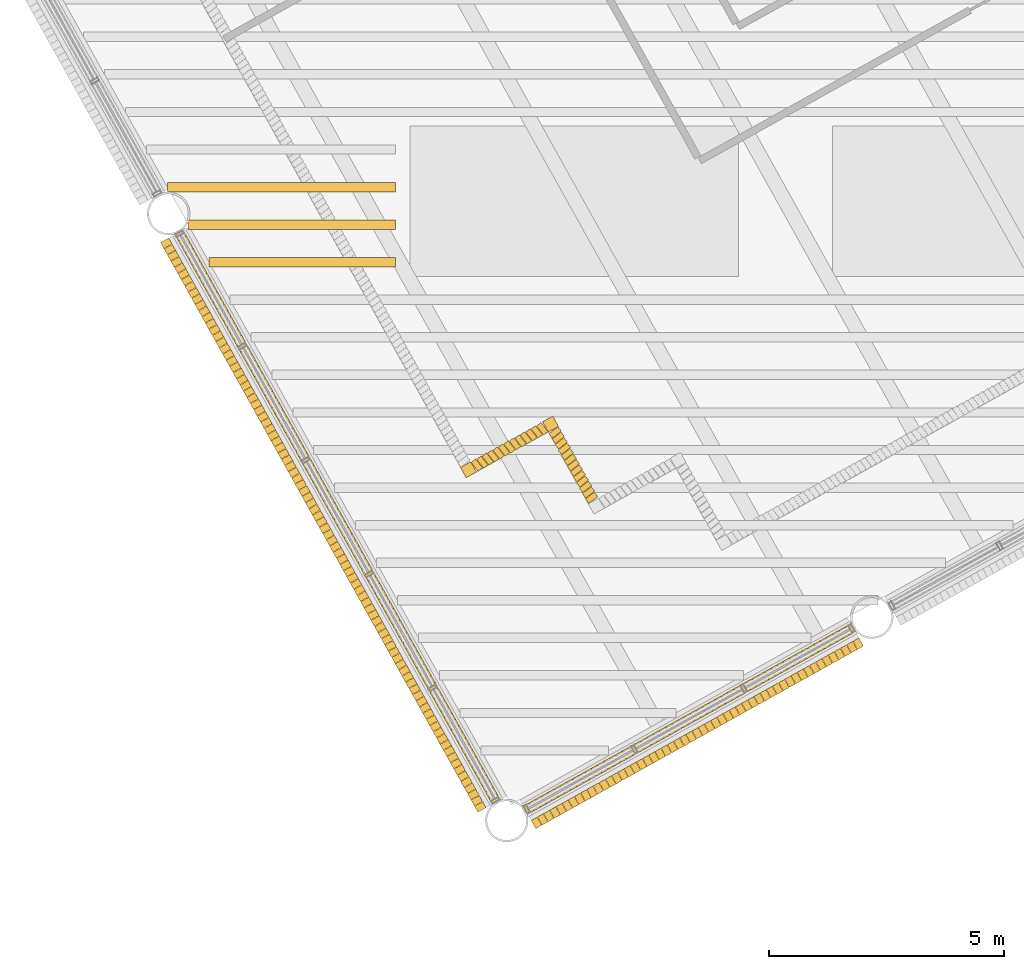
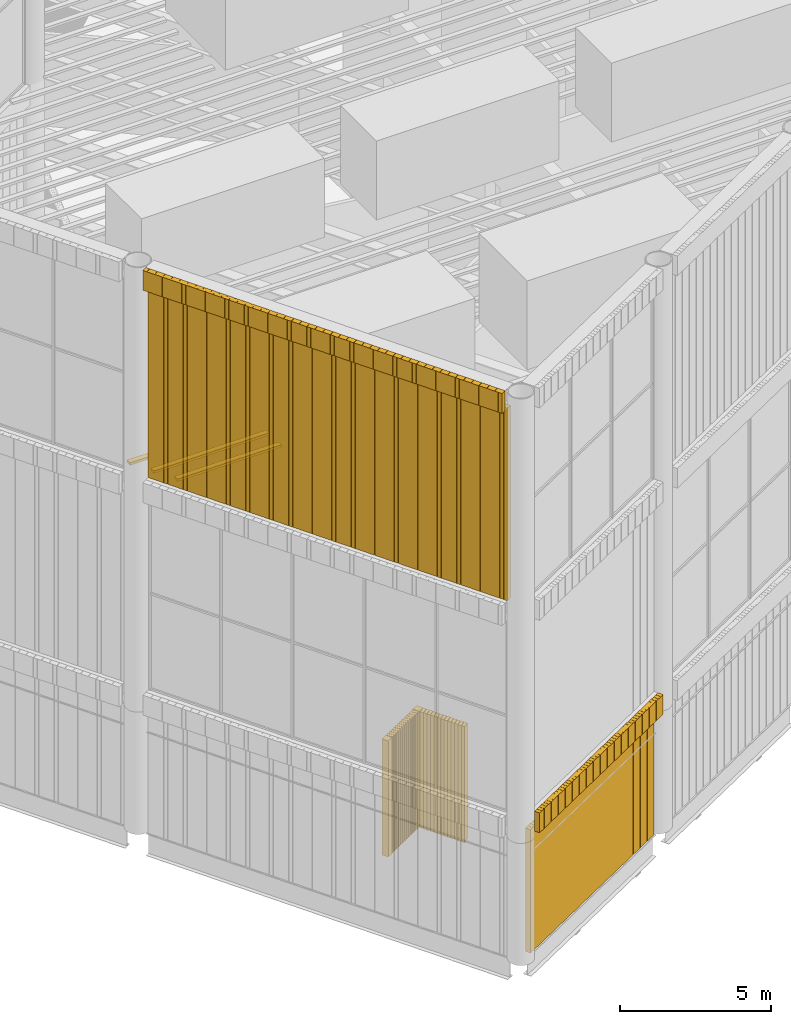
# One storey, part 86 of 117: 7 shading devices, 4 coverings.
"""IFC4 building model written with IfcOpenShell, lengths in metres."""

from ifc_helpers import new_model, si_unit, direction, frame, frame_2d, origin, origin_2d, place, context, subcontext, project, spatial, rectangle, composite_profile, extrude, material, type_object, element, save


model = new_model("IFC4")

# Units and contexts
model_context = context("Model", 3, precision=1e-05, world=origin(), true_north=direction((0.0, 1.0)))
body_context = subcontext(model_context, "Body", "Model", "MODEL_VIEW")
ifc_project = project(units=[si_unit("LENGTHUNIT", "METRE"), si_unit("AREAUNIT", "SQUARE_METRE"), si_unit("VOLUMEUNIT", "CUBIC_METRE"), si_unit("PLANEANGLEUNIT", "RADIAN"), si_unit("MASSUNIT", "GRAM", prefix="KILO")], contexts=[model_context])

# Site, building, storey
site_placement = place(None, origin())
site = spatial("IfcSite", under=ifc_project, at=site_placement, CompositionType="ELEMENT")
building_placement = place(site_placement, origin())
building = spatial("IfcBuilding", under=site, at=building_placement, Name="Tarsis Ring Headquarters", CompositionType="ELEMENT")
storey_placement = place(building_placement, frame((0.0, 0.0, 403.60009765625)))
storey = spatial("IfcBuildingStorey", under=building, at=storey_placement, Name="L95", CompositionType="ELEMENT", Elevation=403.60009765625)

# Coverings
ifc_material_1 = material(Name="Terracotta louvre", Category="masonry")
covering_type = type_object("IfcCoveringType", Name="Crown louvre fin", PredefinedType="CLADDING", material=ifc_material_1)
covering_1_placement = place(storey_placement, frame((-29.78857421875, -33.53515625, 0.0), z_axis=(0.0, 0.0, 1.0), x_axis=(0.873594132029, 0.486644254279, 0.0)))
element("IfcCovering", 1, at=covering_1_placement, inside=storey, type_object=covering_type, Name="Crown louvre base 18", PredefinedType="CLADDING", context=body_context, shape_type="SweptSolid", body=[
    extrude(composite_profile([rectangle(XDim=0.14501953125, YDim=0.199951171875, at=frame_2d((0.072509765625, 0.0))), rectangle(XDim=0.14501953125, YDim=0.199951171875, at=frame_2d((0.223388671875, 0.0))), rectangle(XDim=0.14501953125, YDim=0.199951171875, at=frame_2d((0.374267578125, 0.0))), rectangle(XDim=0.14501953125, YDim=0.199951171875, at=frame_2d((0.52490234375, 0.0))), rectangle(XDim=0.14501953125, YDim=0.199951171875, at=frame_2d((0.67578125, 0.0))), rectangle(XDim=0.14501953125, YDim=0.199951171875, at=frame_2d((0.82666015625, 0.0))), rectangle(XDim=0.14501953125, YDim=0.199951171875, at=frame_2d((0.9775390625, 0.0))), rectangle(XDim=0.14501953125, YDim=0.199951171875, at=frame_2d((1.12841796875, 0.0))), rectangle(XDim=0.14501953125, YDim=0.199951171875, at=frame_2d((1.279052734375, 0.0))), rectangle(XDim=0.14501953125, YDim=0.199951171875, at=frame_2d((1.429931640625, 0.0))), rectangle(XDim=0.14501953125, YDim=0.199951171875, at=frame_2d((1.580810546875, 0.0))), rectangle(XDim=0.14501953125, YDim=0.199951171875, at=frame_2d((1.731689453125, 0.0))), rectangle(XDim=0.14501953125, YDim=0.199951171875, at=frame_2d((1.882568359375, 0.0))), rectangle(XDim=0.14501953125, YDim=0.199951171875, at=frame_2d((2.033203125, 0.0))), rectangle(XDim=0.14501953125, YDim=0.199951171875, at=frame_2d((2.18408203125, 0.0))), rectangle(XDim=0.14501953125, YDim=0.199951171875, at=frame_2d((2.3349609375, 0.0))), rectangle(XDim=0.14501953125, YDim=0.199951171875, at=frame_2d((2.48583984375, 0.0))), rectangle(XDim=0.14501953125, YDim=0.199951171875, at=frame_2d((2.63671875, 0.0))), rectangle(XDim=0.14501953125, YDim=0.199951171875, at=frame_2d((2.78759765625, 0.0))), rectangle(XDim=0.14501953125, YDim=0.199951171875, at=frame_2d((2.938232421875, 0.0))), rectangle(XDim=0.14501953125, YDim=0.199951171875, at=frame_2d((3.089111328125, 0.0))), rectangle(XDim=0.14501953125, YDim=0.199951171875, at=frame_2d((3.239990234375, 0.0))), rectangle(XDim=0.14501953125, YDim=0.199951171875, at=frame_2d((3.390869140625, 0.0))), rectangle(XDim=0.14501953125, YDim=0.199951171875, at=frame_2d((3.541748046875, 0.0))), rectangle(XDim=0.14501953125, YDim=0.199951171875, at=frame_2d((3.6923828125, 0.0))), rectangle(XDim=0.14501953125, YDim=0.199951171875, at=frame_2d((3.84326171875, 0.0))), rectangle(XDim=0.14501953125, YDim=0.199951171875, at=frame_2d((3.994140625, 0.0))), rectangle(XDim=0.14501953125, YDim=0.199951171875, at=frame_2d((4.14501953125, 0.0))), rectangle(XDim=0.14501953125, YDim=0.199951171875, at=frame_2d((4.2958984375, 0.0))), rectangle(XDim=0.14501953125, YDim=0.199951171875, at=frame_2d((4.446533203125, 0.0))), rectangle(XDim=0.14501953125, YDim=0.199951171875, at=frame_2d((4.597412109375, 0.0))), rectangle(XDim=0.14501953125, YDim=0.199951171875, at=frame_2d((4.748291015625, 0.0))), rectangle(XDim=0.14501953125, YDim=0.199951171875, at=frame_2d((4.899169921875, 0.0))), rectangle(XDim=0.14501953125, YDim=0.199951171875, at=frame_2d((5.050048828125, 0.0))), rectangle(XDim=0.14501953125, YDim=0.199951171875, at=frame_2d((5.20068359375, 0.0))), rectangle(XDim=0.14501953125, YDim=0.199951171875, at=frame_2d((5.3515625, 0.0))), rectangle(XDim=0.14501953125, YDim=0.199951171875, at=frame_2d((5.50244140625, 0.0))), rectangle(XDim=0.14501953125, YDim=0.199951171875, at=frame_2d((5.6533203125, 0.0))), rectangle(XDim=0.14501953125, YDim=0.199951171875, at=frame_2d((5.80419921875, 0.0))), rectangle(XDim=0.14501953125, YDim=0.199951171875, at=frame_2d((5.955078125, 0.0))), rectangle(XDim=0.14501953125, YDim=0.199951171875, at=frame_2d((6.105712890625, 0.0))), rectangle(XDim=0.14501953125, YDim=0.199951171875, at=frame_2d((6.256591796875, 0.0))), rectangle(XDim=0.14501953125, YDim=0.199951171875, at=frame_2d((6.407470703125, 0.0))), rectangle(XDim=0.14501953125, YDim=0.199951171875, at=frame_2d((6.558349609375, 0.0))), rectangle(XDim=0.14501953125, YDim=0.199951171875, at=frame_2d((6.709228515625, 0.0))), rectangle(XDim=0.14501953125, YDim=0.199951171875, at=frame_2d((6.85986328125, 0.0))), rectangle(XDim=0.14501953125, YDim=0.199951171875, at=frame_2d((7.0107421875, 0.0))), rectangle(XDim=0.14501953125, YDim=0.199951171875, at=frame_2d((7.16162109375, 0.0))), rectangle(XDim=0.14501953125, YDim=0.199951171875, at=frame_2d((7.3125, 0.0))), rectangle(XDim=0.14501953125, YDim=0.199951171875, at=frame_2d((7.46337890625, 0.0))), rectangle(XDim=0.14501953125, YDim=0.199951171875, at=frame_2d((7.614013671875, 0.0))), rectangle(XDim=0.14501953125, YDim=0.199951171875, at=frame_2d((7.764892578125, 0.0))), rectangle(XDim=0.14501953125, YDim=0.199951171875, at=frame_2d((7.915771484375, 0.0)))]), origin(), (0.0, 0.0, 1.0), 5.0),
])
covering_2_placement = place(storey_placement, frame((-29.618408203125, -33.8408203125, 5.0), z_axis=(0.0, 0.0, 1.0), x_axis=(0.873594132029, 0.486644254279, 0.0)))
element("IfcCovering", 2, at=covering_2_placement, inside=storey, type_object=covering_type, Name="Crown louvre fascia R18", PredefinedType="CLADDING", context=body_context, shape_type="SweptSolid", body=[
    extrude(composite_profile([rectangle(XDim=0.14501953125, YDim=0.199951171875, at=frame_2d((0.072509765625, 0.0))), rectangle(XDim=0.14501953125, YDim=0.199951171875, at=frame_2d((0.223388671875, 0.0))), rectangle(XDim=0.14501953125, YDim=0.199951171875, at=frame_2d((0.374267578125, 0.0))), rectangle(XDim=0.14501953125, YDim=0.199951171875, at=frame_2d((0.52490234375, 0.0))), rectangle(XDim=0.14501953125, YDim=0.199951171875, at=frame_2d((0.67578125, 0.0))), rectangle(XDim=0.14501953125, YDim=0.199951171875, at=frame_2d((0.82666015625, 0.0))), rectangle(XDim=0.14501953125, YDim=0.199951171875, at=frame_2d((0.9775390625, 0.0))), rectangle(XDim=0.14501953125, YDim=0.199951171875, at=frame_2d((1.12841796875, 0.0))), rectangle(XDim=0.14501953125, YDim=0.199951171875, at=frame_2d((1.279052734375, 0.0))), rectangle(XDim=0.14501953125, YDim=0.199951171875, at=frame_2d((1.429931640625, 0.0))), rectangle(XDim=0.14501953125, YDim=0.199951171875, at=frame_2d((1.580810546875, 0.0))), rectangle(XDim=0.14501953125, YDim=0.199951171875, at=frame_2d((1.731689453125, 0.0))), rectangle(XDim=0.14501953125, YDim=0.199951171875, at=frame_2d((1.882568359375, 0.0))), rectangle(XDim=0.14501953125, YDim=0.199951171875, at=frame_2d((2.033203125, 0.0))), rectangle(XDim=0.14501953125, YDim=0.199951171875, at=frame_2d((2.18408203125, 0.0))), rectangle(XDim=0.14501953125, YDim=0.199951171875, at=frame_2d((2.3349609375, 0.0))), rectangle(XDim=0.14501953125, YDim=0.199951171875, at=frame_2d((2.48583984375, 0.0))), rectangle(XDim=0.14501953125, YDim=0.199951171875, at=frame_2d((2.63671875, 0.0))), rectangle(XDim=0.14501953125, YDim=0.199951171875, at=frame_2d((2.78759765625, 0.0))), rectangle(XDim=0.14501953125, YDim=0.199951171875, at=frame_2d((2.938232421875, 0.0))), rectangle(XDim=0.14501953125, YDim=0.199951171875, at=frame_2d((3.089111328125, 0.0))), rectangle(XDim=0.14501953125, YDim=0.199951171875, at=frame_2d((3.239990234375, 0.0))), rectangle(XDim=0.14501953125, YDim=0.199951171875, at=frame_2d((3.390869140625, 0.0))), rectangle(XDim=0.14501953125, YDim=0.199951171875, at=frame_2d((3.541748046875, 0.0))), rectangle(XDim=0.14501953125, YDim=0.199951171875, at=frame_2d((3.6923828125, 0.0))), rectangle(XDim=0.14501953125, YDim=0.199951171875, at=frame_2d((3.84326171875, 0.0))), rectangle(XDim=0.14501953125, YDim=0.199951171875, at=frame_2d((3.994140625, 0.0))), rectangle(XDim=0.14501953125, YDim=0.199951171875, at=frame_2d((4.14501953125, 0.0))), rectangle(XDim=0.14501953125, YDim=0.199951171875, at=frame_2d((4.2958984375, 0.0))), rectangle(XDim=0.14501953125, YDim=0.199951171875, at=frame_2d((4.446533203125, 0.0))), rectangle(XDim=0.14501953125, YDim=0.199951171875, at=frame_2d((4.597412109375, 0.0))), rectangle(XDim=0.14501953125, YDim=0.199951171875, at=frame_2d((4.748291015625, 0.0))), rectangle(XDim=0.14501953125, YDim=0.199951171875, at=frame_2d((4.899169921875, 0.0))), rectangle(XDim=0.14501953125, YDim=0.199951171875, at=frame_2d((5.050048828125, 0.0))), rectangle(XDim=0.14501953125, YDim=0.199951171875, at=frame_2d((5.20068359375, 0.0))), rectangle(XDim=0.14501953125, YDim=0.199951171875, at=frame_2d((5.3515625, 0.0))), rectangle(XDim=0.14501953125, YDim=0.199951171875, at=frame_2d((5.50244140625, 0.0))), rectangle(XDim=0.14501953125, YDim=0.199951171875, at=frame_2d((5.6533203125, 0.0))), rectangle(XDim=0.14501953125, YDim=0.199951171875, at=frame_2d((5.80419921875, 0.0))), rectangle(XDim=0.14501953125, YDim=0.199951171875, at=frame_2d((5.955078125, 0.0))), rectangle(XDim=0.14501953125, YDim=0.199951171875, at=frame_2d((6.105712890625, 0.0))), rectangle(XDim=0.14501953125, YDim=0.199951171875, at=frame_2d((6.256591796875, 0.0))), rectangle(XDim=0.14501953125, YDim=0.199951171875, at=frame_2d((6.407470703125, 0.0))), rectangle(XDim=0.14501953125, YDim=0.199951171875, at=frame_2d((6.558349609375, 0.0))), rectangle(XDim=0.14501953125, YDim=0.199951171875, at=frame_2d((6.709228515625, 0.0))), rectangle(XDim=0.14501953125, YDim=0.199951171875, at=frame_2d((6.85986328125, 0.0))), rectangle(XDim=0.14501953125, YDim=0.199951171875, at=frame_2d((7.0107421875, 0.0))), rectangle(XDim=0.14501953125, YDim=0.199951171875, at=frame_2d((7.16162109375, 0.0))), rectangle(XDim=0.14501953125, YDim=0.199951171875, at=frame_2d((7.3125, 0.0))), rectangle(XDim=0.14501953125, YDim=0.199951171875, at=frame_2d((7.46337890625, 0.0))), rectangle(XDim=0.14501953125, YDim=0.199951171875, at=frame_2d((7.614013671875, 0.0))), rectangle(XDim=0.14501953125, YDim=0.199951171875, at=frame_2d((7.764892578125, 0.0))), rectangle(XDim=0.14501953125, YDim=0.199951171875, at=frame_2d((7.915771484375, 0.0)))]), origin(), (0.0, 0.0, 1.0), 0.7998046875),
])
covering_3_placement = place(storey_placement, frame((-37.4736328125, -21.397705078125, 22.199951171875), z_axis=(0.0, 0.0, 1.0), x_axis=(0.486646623415, -0.873604444679, 0.0)))
element("IfcCovering", 3, at=covering_3_placement, inside=storey, type_object=covering_type, Name="Crown louvre fascia T17", PredefinedType="CLADDING", context=body_context, shape_type="SweptSolid", body=[
    extrude(composite_profile([rectangle(XDim=0.14501953125, YDim=0.199951171875, at=frame_2d((0.072509765625, 0.0))), rectangle(XDim=0.14501953125, YDim=0.199951171875, at=frame_2d((0.223388671875, 0.0))), rectangle(XDim=0.14501953125, YDim=0.199951171875, at=frame_2d((0.37451171875, 0.0))), rectangle(XDim=0.14501953125, YDim=0.199951171875, at=frame_2d((0.525390625, 0.0))), rectangle(XDim=0.14501953125, YDim=0.199951171875, at=frame_2d((0.676513671875, 0.0))), rectangle(XDim=0.14501953125, YDim=0.199951171875, at=frame_2d((0.827392578125, 0.0))), rectangle(XDim=0.14501953125, YDim=0.199951171875, at=frame_2d((0.978515625, 0.0))), rectangle(XDim=0.14501953125, YDim=0.199951171875, at=frame_2d((1.12939453125, 0.0))), rectangle(XDim=0.14501953125, YDim=0.199951171875, at=frame_2d((1.280517578125, 0.0))), rectangle(XDim=0.14501953125, YDim=0.199951171875, at=frame_2d((1.431396484375, 0.0))), rectangle(XDim=0.14501953125, YDim=0.199951171875, at=frame_2d((1.58251953125, 0.0))), rectangle(XDim=0.14501953125, YDim=0.199951171875, at=frame_2d((1.7333984375, 0.0))), rectangle(XDim=0.14501953125, YDim=0.199951171875, at=frame_2d((1.884521484375, 0.0))), rectangle(XDim=0.14501953125, YDim=0.199951171875, at=frame_2d((2.035400390625, 0.0))), rectangle(XDim=0.14501953125, YDim=0.199951171875, at=frame_2d((2.1865234375, 0.0))), rectangle(XDim=0.14501953125, YDim=0.199951171875, at=frame_2d((2.33740234375, 0.0))), rectangle(XDim=0.14501953125, YDim=0.199951171875, at=frame_2d((2.488525390625, 0.0))), rectangle(XDim=0.14501953125, YDim=0.199951171875, at=frame_2d((2.639404296875, 0.0))), rectangle(XDim=0.14501953125, YDim=0.199951171875, at=frame_2d((2.79052734375, 0.0))), rectangle(XDim=0.14501953125, YDim=0.199951171875, at=frame_2d((2.94140625, 0.0))), rectangle(XDim=0.14501953125, YDim=0.199951171875, at=frame_2d((3.092529296875, 0.0))), rectangle(XDim=0.14501953125, YDim=0.199951171875, at=frame_2d((3.243408203125, 0.0))), rectangle(XDim=0.14501953125, YDim=0.199951171875, at=frame_2d((3.39453125, 0.0))), rectangle(XDim=0.14501953125, YDim=0.199951171875, at=frame_2d((3.54541015625, 0.0))), rectangle(XDim=0.14501953125, YDim=0.199951171875, at=frame_2d((3.696533203125, 0.0))), rectangle(XDim=0.14501953125, YDim=0.199951171875, at=frame_2d((3.847412109375, 0.0))), rectangle(XDim=0.14501953125, YDim=0.199951171875, at=frame_2d((3.99853515625, 0.0))), rectangle(XDim=0.14501953125, YDim=0.199951171875, at=frame_2d((4.1494140625, 0.0))), rectangle(XDim=0.14501953125, YDim=0.199951171875, at=frame_2d((4.300537109375, 0.0))), rectangle(XDim=0.14501953125, YDim=0.199951171875, at=frame_2d((4.451416015625, 0.0))), rectangle(XDim=0.14501953125, YDim=0.199951171875, at=frame_2d((4.6025390625, 0.0))), rectangle(XDim=0.14501953125, YDim=0.199951171875, at=frame_2d((4.75341796875, 0.0))), rectangle(XDim=0.14501953125, YDim=0.199951171875, at=frame_2d((4.904541015625, 0.0))), rectangle(XDim=0.14501953125, YDim=0.199951171875, at=frame_2d((5.055419921875, 0.0))), rectangle(XDim=0.14501953125, YDim=0.199951171875, at=frame_2d((5.20654296875, 0.0))), rectangle(XDim=0.14501953125, YDim=0.199951171875, at=frame_2d((5.357421875, 0.0))), rectangle(XDim=0.14501953125, YDim=0.199951171875, at=frame_2d((5.508544921875, 0.0))), rectangle(XDim=0.14501953125, YDim=0.199951171875, at=frame_2d((5.659423828125, 0.0))), rectangle(XDim=0.14501953125, YDim=0.199951171875, at=frame_2d((5.810546875, 0.0))), rectangle(XDim=0.14501953125, YDim=0.199951171875, at=frame_2d((5.96142578125, 0.0))), rectangle(XDim=0.14501953125, YDim=0.199951171875, at=frame_2d((6.112548828125, 0.0))), rectangle(XDim=0.14501953125, YDim=0.199951171875, at=frame_2d((6.263427734375, 0.0))), rectangle(XDim=0.14501953125, YDim=0.199951171875, at=frame_2d((6.41455078125, 0.0))), rectangle(XDim=0.14501953125, YDim=0.199951171875, at=frame_2d((6.5654296875, 0.0))), rectangle(XDim=0.14501953125, YDim=0.199951171875, at=frame_2d((6.716552734375, 0.0))), rectangle(XDim=0.14501953125, YDim=0.199951171875, at=frame_2d((6.867431640625, 0.0))), rectangle(XDim=0.14501953125, YDim=0.199951171875, at=frame_2d((7.0185546875, 0.0))), rectangle(XDim=0.14501953125, YDim=0.199951171875, at=frame_2d((7.16943359375, 0.0))), rectangle(XDim=0.14501953125, YDim=0.199951171875, at=frame_2d((7.320556640625, 0.0))), rectangle(XDim=0.14501953125, YDim=0.199951171875, at=frame_2d((7.471435546875, 0.0))), rectangle(XDim=0.14501953125, YDim=0.199951171875, at=frame_2d((7.62255859375, 0.0))), rectangle(XDim=0.14501953125, YDim=0.199951171875, at=frame_2d((7.7734375, 0.0))), rectangle(XDim=0.14501953125, YDim=0.199951171875, at=frame_2d((7.924560546875, 0.0))), rectangle(XDim=0.14501953125, YDim=0.199951171875, at=frame_2d((8.075439453125, 0.0))), rectangle(XDim=0.14501953125, YDim=0.199951171875, at=frame_2d((8.2265625, 0.0))), rectangle(XDim=0.14501953125, YDim=0.199951171875, at=frame_2d((8.37744140625, 0.0))), rectangle(XDim=0.14501953125, YDim=0.199951171875, at=frame_2d((8.528564453125, 0.0))), rectangle(XDim=0.14501953125, YDim=0.199951171875, at=frame_2d((8.679443359375, 0.0))), rectangle(XDim=0.14501953125, YDim=0.199951171875, at=frame_2d((8.83056640625, 0.0))), rectangle(XDim=0.14501953125, YDim=0.199951171875, at=frame_2d((8.9814453125, 0.0))), rectangle(XDim=0.14501953125, YDim=0.199951171875, at=frame_2d((9.132568359375, 0.0))), rectangle(XDim=0.14501953125, YDim=0.199951171875, at=frame_2d((9.283447265625, 0.0))), rectangle(XDim=0.14501953125, YDim=0.199951171875, at=frame_2d((9.4345703125, 0.0))), rectangle(XDim=0.14501953125, YDim=0.199951171875, at=frame_2d((9.58544921875, 0.0))), rectangle(XDim=0.14501953125, YDim=0.199951171875, at=frame_2d((9.736572265625, 0.0))), rectangle(XDim=0.14501953125, YDim=0.199951171875, at=frame_2d((9.887451171875, 0.0))), rectangle(XDim=0.14501953125, YDim=0.199951171875, at=frame_2d((10.03857421875, 0.0))), rectangle(XDim=0.14501953125, YDim=0.199951171875, at=frame_2d((10.189453125, 0.0))), rectangle(XDim=0.14501953125, YDim=0.199951171875, at=frame_2d((10.340576171875, 0.0))), rectangle(XDim=0.14501953125, YDim=0.199951171875, at=frame_2d((10.491455078125, 0.0))), rectangle(XDim=0.14501953125, YDim=0.199951171875, at=frame_2d((10.642578125, 0.0))), rectangle(XDim=0.14501953125, YDim=0.199951171875, at=frame_2d((10.79345703125, 0.0))), rectangle(XDim=0.14501953125, YDim=0.199951171875, at=frame_2d((10.944580078125, 0.0))), rectangle(XDim=0.14501953125, YDim=0.199951171875, at=frame_2d((11.095458984375, 0.0))), rectangle(XDim=0.14501953125, YDim=0.199951171875, at=frame_2d((11.24658203125, 0.0))), rectangle(XDim=0.14501953125, YDim=0.199951171875, at=frame_2d((11.3974609375, 0.0))), rectangle(XDim=0.14501953125, YDim=0.199951171875, at=frame_2d((11.548583984375, 0.0))), rectangle(XDim=0.14501953125, YDim=0.199951171875, at=frame_2d((11.699462890625, 0.0))), rectangle(XDim=0.14501953125, YDim=0.199951171875, at=frame_2d((11.8505859375, 0.0))), rectangle(XDim=0.14501953125, YDim=0.199951171875, at=frame_2d((12.00146484375, 0.0))), rectangle(XDim=0.14501953125, YDim=0.199951171875, at=frame_2d((12.152587890625, 0.0))), rectangle(XDim=0.14501953125, YDim=0.199951171875, at=frame_2d((12.303466796875, 0.0))), rectangle(XDim=0.14501953125, YDim=0.199951171875, at=frame_2d((12.45458984375, 0.0))), rectangle(XDim=0.14501953125, YDim=0.199951171875, at=frame_2d((12.60546875, 0.0))), rectangle(XDim=0.14501953125, YDim=0.199951171875, at=frame_2d((12.756591796875, 0.0))), rectangle(XDim=0.14501953125, YDim=0.199951171875, at=frame_2d((12.907470703125, 0.0))), rectangle(XDim=0.14501953125, YDim=0.199951171875, at=frame_2d((13.05859375, 0.0))), rectangle(XDim=0.14501953125, YDim=0.199951171875, at=frame_2d((13.20947265625, 0.0))), rectangle(XDim=0.14501953125, YDim=0.199951171875, at=frame_2d((13.360595703125, 0.0))), rectangle(XDim=0.14501953125, YDim=0.199951171875, at=frame_2d((13.511474609375, 0.0))), rectangle(XDim=0.14501953125, YDim=0.199951171875, at=frame_2d((13.66259765625, 0.0))), rectangle(XDim=0.14501953125, YDim=0.199951171875, at=frame_2d((13.8134765625, 0.0)))]), origin(), (0.0, 0.0, 1.0), 0.800048828125),
])
covering_4_placement = place(storey_placement, frame((-37.167724609375, -21.2275390625, 14.39990234375), z_axis=(0.0, 0.0, 1.0), x_axis=(0.486629041616, -0.873604444679, 0.0)))
element("IfcCovering", 4, at=covering_4_placement, inside=storey, type_object=covering_type, Name="Crown louvre U17", PredefinedType="CLADDING", context=body_context, shape_type="SweptSolid", body=[
    extrude(composite_profile([rectangle(XDim=0.14501953125, YDim=0.199951171875, at=frame_2d((0.072509765625, 0.0))), rectangle(XDim=0.14501953125, YDim=0.199951171875, at=frame_2d((0.223388671875, 0.0))), rectangle(XDim=0.14501953125, YDim=0.199951171875, at=frame_2d((0.37451171875, 0.0))), rectangle(XDim=0.14501953125, YDim=0.199951171875, at=frame_2d((0.525390625, 0.0))), rectangle(XDim=0.14501953125, YDim=0.199951171875, at=frame_2d((0.676513671875, 0.0))), rectangle(XDim=0.14501953125, YDim=0.199951171875, at=frame_2d((0.827392578125, 0.0))), rectangle(XDim=0.14501953125, YDim=0.199951171875, at=frame_2d((0.978515625, 0.0))), rectangle(XDim=0.14501953125, YDim=0.199951171875, at=frame_2d((1.12939453125, 0.0))), rectangle(XDim=0.14501953125, YDim=0.199951171875, at=frame_2d((1.280517578125, 0.0))), rectangle(XDim=0.14501953125, YDim=0.199951171875, at=frame_2d((1.431396484375, 0.0))), rectangle(XDim=0.14501953125, YDim=0.199951171875, at=frame_2d((1.58251953125, 0.0))), rectangle(XDim=0.14501953125, YDim=0.199951171875, at=frame_2d((1.7333984375, 0.0))), rectangle(XDim=0.14501953125, YDim=0.199951171875, at=frame_2d((1.884521484375, 0.0))), rectangle(XDim=0.14501953125, YDim=0.199951171875, at=frame_2d((2.035400390625, 0.0))), rectangle(XDim=0.14501953125, YDim=0.199951171875, at=frame_2d((2.1865234375, 0.0))), rectangle(XDim=0.14501953125, YDim=0.199951171875, at=frame_2d((2.33740234375, 0.0))), rectangle(XDim=0.14501953125, YDim=0.199951171875, at=frame_2d((2.488525390625, 0.0))), rectangle(XDim=0.14501953125, YDim=0.199951171875, at=frame_2d((2.639404296875, 0.0))), rectangle(XDim=0.14501953125, YDim=0.199951171875, at=frame_2d((2.79052734375, 0.0))), rectangle(XDim=0.14501953125, YDim=0.199951171875, at=frame_2d((2.94140625, 0.0))), rectangle(XDim=0.14501953125, YDim=0.199951171875, at=frame_2d((3.092529296875, 0.0))), rectangle(XDim=0.14501953125, YDim=0.199951171875, at=frame_2d((3.243408203125, 0.0))), rectangle(XDim=0.14501953125, YDim=0.199951171875, at=frame_2d((3.39453125, 0.0))), rectangle(XDim=0.14501953125, YDim=0.199951171875, at=frame_2d((3.54541015625, 0.0))), rectangle(XDim=0.14501953125, YDim=0.199951171875, at=frame_2d((3.696533203125, 0.0))), rectangle(XDim=0.14501953125, YDim=0.199951171875, at=frame_2d((3.847412109375, 0.0))), rectangle(XDim=0.14501953125, YDim=0.199951171875, at=frame_2d((3.99853515625, 0.0))), rectangle(XDim=0.14501953125, YDim=0.199951171875, at=frame_2d((4.1494140625, 0.0))), rectangle(XDim=0.14501953125, YDim=0.199951171875, at=frame_2d((4.300537109375, 0.0))), rectangle(XDim=0.14501953125, YDim=0.199951171875, at=frame_2d((4.451416015625, 0.0))), rectangle(XDim=0.14501953125, YDim=0.199951171875, at=frame_2d((4.6025390625, 0.0))), rectangle(XDim=0.14501953125, YDim=0.199951171875, at=frame_2d((4.75341796875, 0.0))), rectangle(XDim=0.14501953125, YDim=0.199951171875, at=frame_2d((4.904541015625, 0.0))), rectangle(XDim=0.14501953125, YDim=0.199951171875, at=frame_2d((5.055419921875, 0.0))), rectangle(XDim=0.14501953125, YDim=0.199951171875, at=frame_2d((5.20654296875, 0.0))), rectangle(XDim=0.14501953125, YDim=0.199951171875, at=frame_2d((5.357421875, 0.0))), rectangle(XDim=0.14501953125, YDim=0.199951171875, at=frame_2d((5.508544921875, 0.0))), rectangle(XDim=0.14501953125, YDim=0.199951171875, at=frame_2d((5.659423828125, 0.0))), rectangle(XDim=0.14501953125, YDim=0.199951171875, at=frame_2d((5.810546875, 0.0))), rectangle(XDim=0.14501953125, YDim=0.199951171875, at=frame_2d((5.96142578125, 0.0))), rectangle(XDim=0.14501953125, YDim=0.199951171875, at=frame_2d((6.112548828125, 0.0))), rectangle(XDim=0.14501953125, YDim=0.199951171875, at=frame_2d((6.263427734375, 0.0))), rectangle(XDim=0.14501953125, YDim=0.199951171875, at=frame_2d((6.41455078125, 0.0))), rectangle(XDim=0.14501953125, YDim=0.199951171875, at=frame_2d((6.5654296875, 0.0))), rectangle(XDim=0.14501953125, YDim=0.199951171875, at=frame_2d((6.716552734375, 0.0))), rectangle(XDim=0.14501953125, YDim=0.199951171875, at=frame_2d((6.867431640625, 0.0))), rectangle(XDim=0.14501953125, YDim=0.199951171875, at=frame_2d((7.0185546875, 0.0))), rectangle(XDim=0.14501953125, YDim=0.199951171875, at=frame_2d((7.16943359375, 0.0))), rectangle(XDim=0.14501953125, YDim=0.199951171875, at=frame_2d((7.320556640625, 0.0))), rectangle(XDim=0.14501953125, YDim=0.199951171875, at=frame_2d((7.471435546875, 0.0))), rectangle(XDim=0.14501953125, YDim=0.199951171875, at=frame_2d((7.62255859375, 0.0))), rectangle(XDim=0.14501953125, YDim=0.199951171875, at=frame_2d((7.7734375, 0.0))), rectangle(XDim=0.14501953125, YDim=0.199951171875, at=frame_2d((7.924560546875, 0.0))), rectangle(XDim=0.14501953125, YDim=0.199951171875, at=frame_2d((8.075439453125, 0.0))), rectangle(XDim=0.14501953125, YDim=0.199951171875, at=frame_2d((8.2265625, 0.0))), rectangle(XDim=0.14501953125, YDim=0.199951171875, at=frame_2d((8.37744140625, 0.0))), rectangle(XDim=0.14501953125, YDim=0.199951171875, at=frame_2d((8.528564453125, 0.0))), rectangle(XDim=0.14501953125, YDim=0.199951171875, at=frame_2d((8.679443359375, 0.0))), rectangle(XDim=0.14501953125, YDim=0.199951171875, at=frame_2d((8.83056640625, 0.0))), rectangle(XDim=0.14501953125, YDim=0.199951171875, at=frame_2d((8.9814453125, 0.0))), rectangle(XDim=0.14501953125, YDim=0.199951171875, at=frame_2d((9.132568359375, 0.0))), rectangle(XDim=0.14501953125, YDim=0.199951171875, at=frame_2d((9.283447265625, 0.0))), rectangle(XDim=0.14501953125, YDim=0.199951171875, at=frame_2d((9.4345703125, 0.0))), rectangle(XDim=0.14501953125, YDim=0.199951171875, at=frame_2d((9.58544921875, 0.0))), rectangle(XDim=0.14501953125, YDim=0.199951171875, at=frame_2d((9.736572265625, 0.0))), rectangle(XDim=0.14501953125, YDim=0.199951171875, at=frame_2d((9.887451171875, 0.0))), rectangle(XDim=0.14501953125, YDim=0.199951171875, at=frame_2d((10.03857421875, 0.0))), rectangle(XDim=0.14501953125, YDim=0.199951171875, at=frame_2d((10.189453125, 0.0))), rectangle(XDim=0.14501953125, YDim=0.199951171875, at=frame_2d((10.340576171875, 0.0))), rectangle(XDim=0.14501953125, YDim=0.199951171875, at=frame_2d((10.491455078125, 0.0))), rectangle(XDim=0.14501953125, YDim=0.199951171875, at=frame_2d((10.642578125, 0.0))), rectangle(XDim=0.14501953125, YDim=0.199951171875, at=frame_2d((10.79345703125, 0.0))), rectangle(XDim=0.14501953125, YDim=0.199951171875, at=frame_2d((10.944580078125, 0.0))), rectangle(XDim=0.14501953125, YDim=0.199951171875, at=frame_2d((11.095458984375, 0.0))), rectangle(XDim=0.14501953125, YDim=0.199951171875, at=frame_2d((11.24658203125, 0.0))), rectangle(XDim=0.14501953125, YDim=0.199951171875, at=frame_2d((11.3974609375, 0.0))), rectangle(XDim=0.14501953125, YDim=0.199951171875, at=frame_2d((11.548583984375, 0.0))), rectangle(XDim=0.14501953125, YDim=0.199951171875, at=frame_2d((11.699462890625, 0.0))), rectangle(XDim=0.14501953125, YDim=0.199951171875, at=frame_2d((11.8505859375, 0.0))), rectangle(XDim=0.14501953125, YDim=0.199951171875, at=frame_2d((12.00146484375, 0.0))), rectangle(XDim=0.14501953125, YDim=0.199951171875, at=frame_2d((12.152587890625, 0.0))), rectangle(XDim=0.14501953125, YDim=0.199951171875, at=frame_2d((12.303466796875, 0.0))), rectangle(XDim=0.14501953125, YDim=0.199951171875, at=frame_2d((12.45458984375, 0.0))), rectangle(XDim=0.14501953125, YDim=0.199951171875, at=frame_2d((12.60546875, 0.0))), rectangle(XDim=0.14501953125, YDim=0.199951171875, at=frame_2d((12.756591796875, 0.0))), rectangle(XDim=0.14501953125, YDim=0.199951171875, at=frame_2d((12.907470703125, 0.0))), rectangle(XDim=0.14501953125, YDim=0.199951171875, at=frame_2d((13.05859375, 0.0))), rectangle(XDim=0.14501953125, YDim=0.199951171875, at=frame_2d((13.20947265625, 0.0))), rectangle(XDim=0.14501953125, YDim=0.199951171875, at=frame_2d((13.360595703125, 0.0))), rectangle(XDim=0.14501953125, YDim=0.199951171875, at=frame_2d((13.511474609375, 0.0))), rectangle(XDim=0.14501953125, YDim=0.199951171875, at=frame_2d((13.66259765625, 0.0))), rectangle(XDim=0.14501953125, YDim=0.199951171875, at=frame_2d((13.8134765625, 0.0)))]), origin(), (0.0, 0.0, 1.0), 7.800048828125),
])

# Shading devices
ifc_material_2 = material(Name="Aluminium louvre", Category="aluminium")
shading_device_type_1 = type_object("IfcShadingDeviceType", Name="Crown roof louvre blade", PredefinedType="USERDEFINED", material=ifc_material_2)
shading_device_1_placement = place(storey_placement, frame((-34.53955078125, -21.8642578125, 14.39990234375), z_axis=(0.0, 0.0, 1.0), x_axis=(1.0, 0.0, 0.0)))
element("IfcShadingDevice", 5, at=shading_device_1_placement, inside=storey, type_object=shading_device_type_1, Name="Crown roof louvre 27", ObjectType="Crown roof louvre", PredefinedType="USERDEFINED", context=body_context, shape_type="SweptSolid", body=[
    extrude(rectangle(XDim=3.974609375, YDim=0.199951171875, at=origin_2d()), origin(), (0.0, 0.0, 1.0), 0.10009765625),
])
shading_device_2_placement = place(storey_placement, frame((-34.762451171875, -21.064208984375, 14.39990234375), z_axis=(0.0, 0.0, 1.0), x_axis=(1.0, 0.0, 0.0)))
element("IfcShadingDevice", 6, at=shading_device_2_placement, inside=storey, type_object=shading_device_type_1, Name="Crown roof louvre 30", ObjectType="Crown roof louvre", PredefinedType="USERDEFINED", context=body_context, shape_type="SweptSolid", body=[
    extrude(rectangle(XDim=4.420166015625, YDim=0.199951171875, at=origin_2d()), origin(), (0.0, 0.0, 1.0), 0.10009765625),
])
shading_device_3_placement = place(storey_placement, frame((-34.9853515625, -20.26416015625, 14.39990234375), z_axis=(0.0, 0.0, 1.0), x_axis=(1.0, 0.0, 0.0)))
element("IfcShadingDevice", 7, at=shading_device_3_placement, inside=storey, type_object=shading_device_type_1, Name="Crown roof louvre 33", ObjectType="Crown roof louvre", PredefinedType="USERDEFINED", context=body_context, shape_type="SweptSolid", body=[
    extrude(rectangle(XDim=4.86572265625, YDim=0.199951171875, at=origin_2d()), origin(), (0.0, 0.0, 1.0), 0.10009765625),
])
shading_device_type_2 = type_object("IfcShadingDeviceType", Name="Plant louvre fin", PredefinedType="USERDEFINED", material=ifc_material_2)
for number, where, z_axis, x_axis, name in (
    (8, (-30.893310546875, -26.2236328125, 0.0), (0.0, 0.0, 1.0), (0.873604910714, 0.486607142857, 0.0), "Louvre L95-37"),
    (9, (-29.194580078125, -25.42041015625, 0.0), (0.0, 0.0, 1.0), (0.486607142857, -0.873604910714, 0.0), "Louvre L95-38"),
):
    element("IfcShadingDevice", number, at=place(storey_placement, frame(where, z_axis=z_axis, x_axis=x_axis)), inside=storey, type_object=shading_device_type_2, Name=name, ObjectType="Louvre", PredefinedType="USERDEFINED", context=body_context, shape_type="SweptSolid", body=[
        extrude(composite_profile([rectangle(XDim=0.1201171875, YDim=0.239990234375, at=frame_2d((0.078125, 0.0), x_axis=(0.987688340595, 0.15643446504))), rectangle(XDim=0.1201171875, YDim=0.239990234375, at=frame_2d((0.2109375, 0.0), x_axis=(0.987688340595, 0.15643446504))), rectangle(XDim=0.1201171875, YDim=0.239990234375, at=frame_2d((0.34375, 0.0), x_axis=(0.987688340595, 0.15643446504))), rectangle(XDim=0.1201171875, YDim=0.239990234375, at=frame_2d((0.4765625, 0.0), x_axis=(0.987688340595, 0.15643446504))), rectangle(XDim=0.1201171875, YDim=0.239990234375, at=frame_2d((0.609375, 0.0), x_axis=(0.987688340595, 0.15643446504))), rectangle(XDim=0.1201171875, YDim=0.239990234375, at=frame_2d((0.7421875, 0.0), x_axis=(0.987688340595, 0.15643446504))), rectangle(XDim=0.1201171875, YDim=0.239990234375, at=frame_2d((0.875, 0.0), x_axis=(0.987688340595, 0.15643446504))), rectangle(XDim=0.1201171875, YDim=0.239990234375, at=frame_2d((1.0078125, 0.0), x_axis=(0.987688340595, 0.15643446504))), rectangle(XDim=0.1201171875, YDim=0.239990234375, at=frame_2d((1.140625, 0.0), x_axis=(0.987688340595, 0.15643446504))), rectangle(XDim=0.1201171875, YDim=0.239990234375, at=frame_2d((1.2734375, 0.0), x_axis=(0.987688340595, 0.15643446504))), rectangle(XDim=0.1201171875, YDim=0.239990234375, at=frame_2d((1.40625, 0.0), x_axis=(0.987688340595, 0.15643446504))), rectangle(XDim=0.1201171875, YDim=0.239990234375, at=frame_2d((1.5390625, 0.0), x_axis=(0.987688340595, 0.15643446504))), rectangle(XDim=0.1201171875, YDim=0.239990234375, at=frame_2d((1.671875, 0.0), x_axis=(0.987688340595, 0.15643446504)))]), origin(), (0.0, 0.0, 1.0), 4.699951171875),
    ])
ifc_material_3 = material(Name="Terracotta baguette", Category="masonry")
shading_device_type_3 = type_object("IfcShadingDeviceType", Name="Terracotta corner baguette 250x250", PredefinedType="USERDEFINED", material=ifc_material_3)
for number, where, z_axis, x_axis, name in (
    (10, (-31.002685546875, -26.284423828125, 0.0), (0.0, 0.0, 1.0), (0.486640385327, -0.873602389746, 0.0), "Corner baguette L95-37"),
    (11, (-29.25537109375, -25.31103515625, 0.0), (0.0, 0.0, 1.0), (0.873602457693, 0.486640263349, 0.0), "Corner baguette L95-38"),
):
    element("IfcShadingDevice", number, at=place(storey_placement, frame(where, z_axis=z_axis, x_axis=x_axis)), inside=storey, type_object=shading_device_type_3, Name=name, ObjectType="Terracotta corner baguette", PredefinedType="USERDEFINED", context=body_context, shape_type="SweptSolid", body=[
        extrude(rectangle(XDim=0.25, YDim=0.25, at=origin_2d()), origin(), (0.0, 0.0, 1.0), 4.699951171875),
    ])

save(model, "model.ifc")
